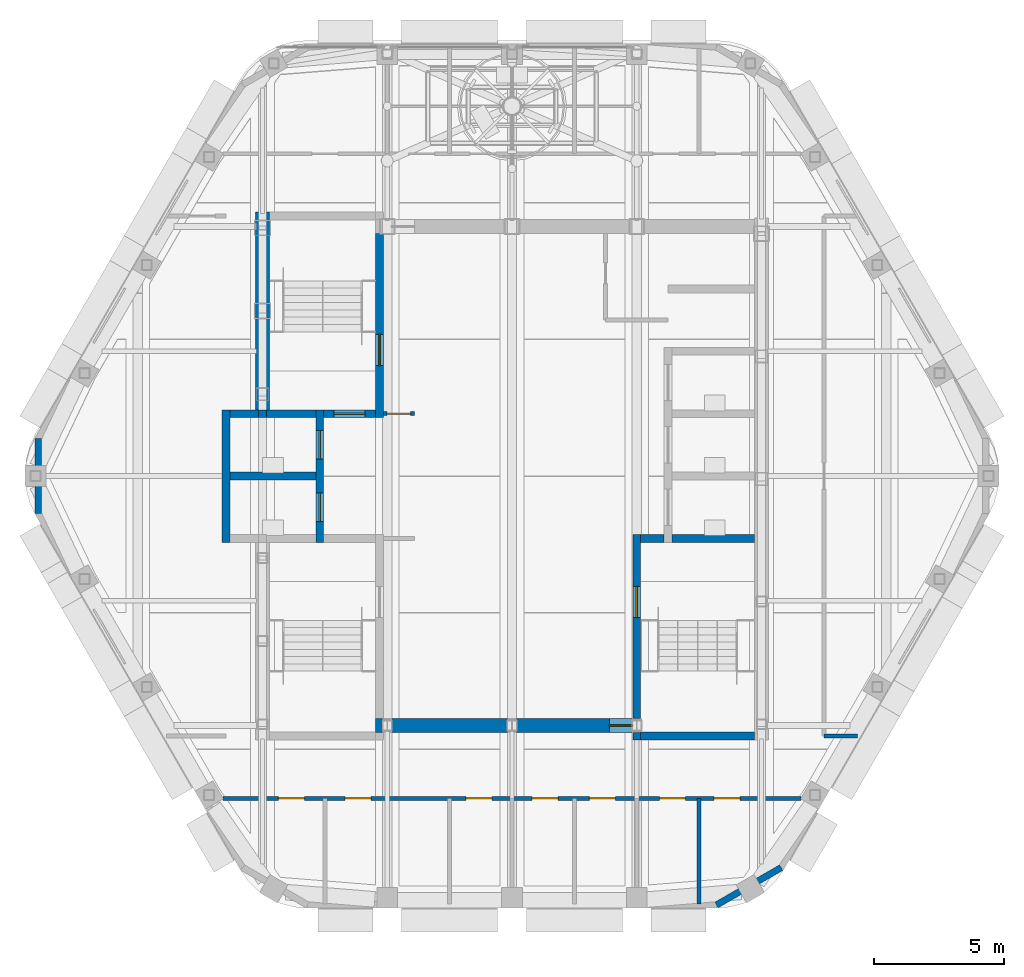
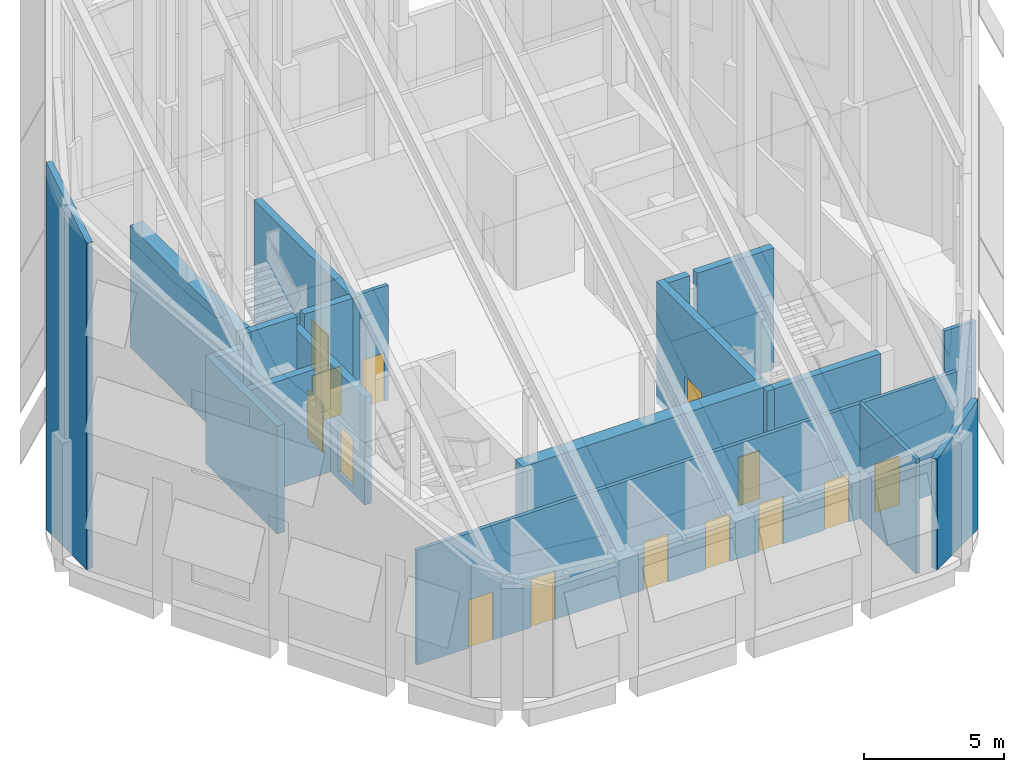
# One storey, part 10 of 25: 21 walls, 14 doors, 14 openings.
"""IFC4 building model written with IfcOpenShell, lengths in metres."""

from ifc_helpers import new_model, si_unit, direction, frame, frame_2d, origin, place, context, subcontext, project, spatial, polyline, rectangle, outline, extrude, material, layer, layer_set, type_object, element, fill, save


model = new_model("IFC4")

# Units and contexts
model_context = context("Model", 3, precision=1e-05, world=origin(), true_north=direction((0.0, 1.0)))
body_context = subcontext(model_context, "Body", "Model", "MODEL_VIEW")
ifc_project = project(units=[si_unit("LENGTHUNIT", "METRE"), si_unit("AREAUNIT", "SQUARE_METRE"), si_unit("VOLUMEUNIT", "CUBIC_METRE"), si_unit("PLANEANGLEUNIT", "RADIAN"), si_unit("MASSUNIT", "GRAM", prefix="KILO")], contexts=[model_context])

# Site, building, storey
site_placement = place(None, origin())
site = spatial("IfcSite", under=ifc_project, at=site_placement, CompositionType="ELEMENT")
building_placement = place(site_placement, origin())
building = spatial("IfcBuilding", under=site, at=building_placement, Name="Kolab Exchange Tower", CompositionType="ELEMENT")
storey_placement = place(building_placement, frame((0.0, 0.0, 301.89990234375)))
storey = spatial("IfcBuildingStorey", under=building, at=storey_placement, Name="L68", CompositionType="ELEMENT", Elevation=301.89990234375)

# Wall, opening, door
ifc_material_1 = material(Name="Concrete C50/60", Category="concrete")
ifc_layer_1 = layer(ifc_material_1, 0.550048828125)
ifc_layer_set_1 = layer_set([ifc_layer_1], Name="Concrete C50/60")
wall_type_1 = type_object("IfcWallType", Name="CORE WALL 550 C50/60", PredefinedType="SHEAR", material=ifc_layer_set_1)
wall_1_placement = place(storey_placement, frame((-5.25, -9.60009765625, -0.2998046875), z_axis=(0.0, 0.0, 1.0), x_axis=(1.0, 0.0, 0.0)))
wall_1 = element("IfcWall", 1, at=wall_1_placement, inside=storey, type_object=wall_type_1, Name="wall/L68/core/002", PredefinedType="SHEAR", context=body_context, shape_type="SweptSolid", body=[
    extrude(rectangle(XDim=10.199951171875, YDim=0.550048828125, at=frame_2d((5.10009765625, 0.0))), origin(), (0.0, 0.0, 1.0), 5.2998046875),
])
opening_1_placement = place(wall_1_placement, frame((9.0, 0.0, 0.300048828125)))
opening_1 = element("IfcOpeningElement", 2, at=opening_1_placement, cuts=wall_1, Name="Opening D6-304", PredefinedType="OPENING", context=body_context, shape_type="SweptSolid", body=[
    extrude(rectangle(XDim=0.89990234375, YDim=2.10009765625, at=frame_2d((0.449951171875, 1.050048828125))), frame((0.0, 0.28515625, 0.0), z_axis=(0.0, -1.0, 0.0), x_axis=(1.0, 0.0, 0.0)), (0.0, 0.0, 1.0), 0.570068359375),
])
ifc_material_2 = material(Name="Steel S235", Category="steel")
door_type_1 = type_object("IfcDoorType", Name="CORE DOOR 900 EI 120", OperationType="SINGLE_SWING_LEFT", PredefinedType="DOOR", material=ifc_material_2)
door_1_placement = place(opening_1_placement, origin())
door_1 = element("IfcDoor", 3, at=door_1_placement, inside=storey, type_object=door_type_1, Name="Core lobby door", OperationType="SINGLE_SWING_RIGHT", OverallHeight=2.10009765625, OverallWidth=0.89990234375, PredefinedType="DOOR", context=body_context, shape_type="SweptSolid", body=[
    extrude(rectangle(XDim=0.89990234375, YDim=2.10009765625, at=frame_2d((0.449951171875, 1.050048828125))), frame((0.0, 0.02490234375, 0.0), z_axis=(0.0, -1.0, 0.0), x_axis=(1.0, 0.0, 0.0)), (0.0, 0.0, 1.0), 0.050048828125),
])
fill(opening_1, door_1)

# Walls
wall_2_placement = place(storey_placement, frame((-9.60009765625, 2.550048828125, -0.2998046875), z_axis=(0.0, 0.0, 1.0), x_axis=(0.0, 1.0, 0.0)))
element("IfcWall", 4, at=wall_2_placement, inside=storey, type_object=wall_type_1, Name="wall/L68/core/022", PredefinedType="SHEAR", context=body_context, shape_type="SweptSolid", body=[
    extrude(rectangle(XDim=7.599853515625, YDim=0.550048828125, at=frame_2d((3.7998046875, 0.0))), origin(), (0.0, 0.0, 1.0), 5.2998046875),
])
ifc_material_3 = material(Name="Aluminium EN AW-6063 T6", Category="aluminium")
ifc_layer_2 = layer(ifc_material_3, 0.25)
ifc_layer_set_2 = layer_set([ifc_layer_2], Name="Aluminium EN AW-6063 T6")
wall_type_2 = type_object("IfcWallType", Name="CROWN CLADDING WALL 250", PredefinedType="SOLIDWALL", material=ifc_layer_set_2)
wall_3_placement = place(storey_placement, frame((10.357666015625, -15.065185546875, 0.0), z_axis=(0.0, 0.0, 1.0), x_axis=(-0.866018712932, -0.500011588718, 0.0)))
element("IfcWall", 5, at=wall_3_placement, inside=storey, type_object=wall_type_2, Name="Crown cladding wall", PredefinedType="SOLIDWALL", context=body_context, shape_type="SweptSolid", body=[
    extrude(outline(polyline([(0.0, 0.0), (2.875, 0.0), (2.875, 4.783447265625), (0.0, 5.681640625), (0.0, 0.0)])), frame((0.0, 0.125, 0.0), z_axis=(0.0, -1.0, 0.0), x_axis=(1.0, 0.0, 0.0)), (0.0, 0.0, 1.0), 0.25),
])
wall_4_placement = place(storey_placement, frame((-18.225830078125, -1.4375, 0.0), z_axis=(0.0, 0.0, 1.0), x_axis=(0.0, 1.0, 0.0)))
element("IfcWall", 6, at=wall_4_placement, inside=storey, type_object=wall_type_2, Name="Crown cladding wall", PredefinedType="SOLIDWALL", context=body_context, shape_type="SweptSolid", body=[
    extrude(outline(polyline([(0.0, 0.0), (2.875, 0.0), (2.875, 15.99365234375), (0.0, 14.197265625), (0.0, 0.0)])), frame((0.0, 0.125, 0.0), z_axis=(0.0, -1.0, 0.0), x_axis=(1.0, 0.0, 0.0)), (0.0, 0.0, 1.0), 0.25),
])
ifc_layer_3 = layer(ifc_material_1, 0.300048828125)
ifc_layer_set_3 = layer_set([ifc_layer_3], Name="Concrete C50/60")
wall_type_3 = type_object("IfcWallType", Name="LIFT SHAFT WALL 300 C50/60", PredefinedType="STANDARD", material=ifc_layer_set_3)
wall_5_placement = place(storey_placement, frame((-10.85009765625, 0.0, -0.2998046875), z_axis=(0.0, 0.0, 1.0), x_axis=(1.0, 0.0, 0.0)))
element("IfcWall", 7, at=wall_5_placement, inside=storey, type_object=wall_type_3, Name="wall/L68/core/008", PredefinedType="STANDARD", context=body_context, shape_type="SweptSolid", body=[
    extrude(rectangle(XDim=3.300048828125, YDim=0.300048828125, at=frame_2d((1.64990234375, 0.0))), origin(), (0.0, 0.0, 1.0), 4.699951171875),
])
wall_6_placement = place(storey_placement, frame((-10.85009765625, 2.39990234375, -0.2998046875), z_axis=(0.0, 0.0, 1.0), x_axis=(1.0, 0.0, 0.0)))
element("IfcWall", 8, at=wall_6_placement, inside=storey, type_object=wall_type_3, Name="wall/L68/core/010", PredefinedType="STANDARD", context=body_context, shape_type="SweptSolid", body=[
    extrude(rectangle(XDim=1.10009765625, YDim=0.300048828125, at=frame_2d((0.550048828125, 0.0))), origin(), (0.0, 0.0, 1.0), 4.699951171875),
])
wall_7_placement = place(storey_placement, frame((-11.0, -2.550048828125, -0.2998046875), z_axis=(0.0, 0.0, 1.0), x_axis=(0.0, 1.0, 0.0)))
element("IfcWall", 9, at=wall_7_placement, inside=storey, type_object=wall_type_3, Name="wall/L68/core/018", PredefinedType="STANDARD", context=body_context, shape_type="SweptSolid", body=[
    extrude(rectangle(XDim=5.10009765625, YDim=0.300048828125, at=frame_2d((2.550048828125, 0.0))), origin(), (0.0, 0.0, 1.0), 4.699951171875),
])

# Wall, openings, doors
wall_8_placement = place(storey_placement, frame((-7.39990234375, -2.550048828125, -0.2998046875), z_axis=(0.0, 0.0, 1.0), x_axis=(0.0, 1.0, 0.0)))
wall_8 = element("IfcWall", 10, at=wall_8_placement, inside=storey, type_object=wall_type_3, Name="wall/L68/core/023", PredefinedType="STANDARD", context=body_context, shape_type="SweptSolid", body=[
    extrude(rectangle(XDim=5.10009765625, YDim=0.300048828125, at=frame_2d((2.550048828125, 0.0))), origin(), (0.0, 0.0, 1.0), 4.699951171875),
])
opening_2_placement = place(wall_8_placement, frame((0.800048828125, 0.0, 0.300048828125)))
opening_2 = element("IfcOpeningElement", 11, at=opening_2_placement, cuts=wall_8, Name="Opening LD2-031", PredefinedType="OPENING", context=body_context, shape_type="SweptSolid", body=[
    extrude(rectangle(XDim=1.10009765625, YDim=2.10009765625, at=frame_2d((0.550048828125, 1.050048828125))), frame((0.0, 0.16015625, 0.0), z_axis=(0.0, -1.0, 0.0), x_axis=(1.0, 0.0, 0.0)), (0.0, 0.0, 1.0), 0.320068359375),
])
opening_3_placement = place(wall_8_placement, frame((3.199951171875, 0.0, 0.300048828125)))
opening_3 = element("IfcOpeningElement", 12, at=opening_3_placement, cuts=wall_8, Name="Opening LD2-032", PredefinedType="OPENING", context=body_context, shape_type="SweptSolid", body=[
    extrude(rectangle(XDim=1.10009765625, YDim=2.10009765625, at=frame_2d((0.550048828125, 1.050048828125))), frame((0.0, 0.16015625, 0.0), z_axis=(0.0, -1.0, 0.0), x_axis=(1.0, 0.0, 0.0)), (0.0, 0.0, 1.0), 0.320068359375),
])
ifc_material_4 = material(Name="Stainless steel 316", Category="steel")
door_type_2 = type_object("IfcDoorType", Name="LANDING DOOR 1100 FIREFIGHTING", OperationType="DOUBLE_DOOR_SLIDING", PredefinedType="DOOR", material=ifc_material_4)
door_2_placement = place(opening_2_placement, origin())
door_2 = element("IfcDoor", 13, at=door_2_placement, inside=storey, type_object=door_type_2, Name="Landing door FF1", OperationType="DOUBLE_DOOR_SLIDING", OverallHeight=2.10009765625, OverallWidth=1.10009765625, PredefinedType="DOOR", context=body_context, shape_type="SweptSolid", body=[
    extrude(rectangle(XDim=1.10009765625, YDim=2.10009765625, at=frame_2d((0.550048828125, 1.050048828125))), frame((0.0, 0.02490234375, 0.0), z_axis=(0.0, -1.0, 0.0), x_axis=(1.0, 0.0, 0.0)), (0.0, 0.0, 1.0), 0.050048828125),
])
fill(opening_2, door_2)
door_3_placement = place(opening_3_placement, origin())
door_3 = element("IfcDoor", 14, at=door_3_placement, inside=storey, type_object=door_type_2, Name="Landing door FF2", OperationType="DOUBLE_DOOR_SLIDING", OverallHeight=2.10009765625, OverallWidth=1.10009765625, PredefinedType="DOOR", context=body_context, shape_type="SweptSolid", body=[
    extrude(rectangle(XDim=1.10009765625, YDim=2.10009765625, at=frame_2d((0.550048828125, 1.050048828125))), frame((0.0, 0.02490234375, 0.0), z_axis=(0.0, -1.0, 0.0), x_axis=(1.0, 0.0, 0.0)), (0.0, 0.0, 1.0), 0.050048828125),
])
fill(opening_3, door_3)

# Wall
ifc_material_5 = material(Name="Gypsum board", Category="gypsum")
ifc_layer_4 = layer(ifc_material_5, 0.14990234375)
ifc_layer_set_4 = layer_set([ifc_layer_4], Name="Gypsum board")
wall_type_4 = type_object("IfcWallType", Name="PARTITION 150 FIRE-RATED", PredefinedType="PARTITIONING", material=ifc_layer_set_4)
wall_9_placement = place(storey_placement, frame((7.199951171875, -16.457763671875, 0.0), z_axis=(0.0, 0.0, 1.0), x_axis=(0.0, 1.0, 0.0)))
element("IfcWall", 15, at=wall_9_placement, inside=storey, type_object=wall_type_4, Name="Partition 001", PredefinedType="PARTITIONING", context=body_context, shape_type="SweptSolid", body=[
    extrude(rectangle(XDim=4.057861328125, YDim=0.14990234375, at=frame_2d((2.02880859375, 0.0))), origin(), (0.0, 0.0, 1.0), 5.0),
])

# Wall, openings, doors
wall_10_placement = place(storey_placement, frame((-11.1171875, -12.39990234375, 0.0), z_axis=(0.0, 0.0, 1.0), x_axis=(1.0, 0.0, 0.0)))
wall_10 = element("IfcWall", 16, at=wall_10_placement, inside=storey, type_object=wall_type_4, Name="Partition 012", PredefinedType="PARTITIONING", context=body_context, shape_type="SweptSolid", body=[
    extrude(rectangle(XDim=22.234375, YDim=0.14990234375, at=frame_2d((11.1171875, 0.0))), origin(), (0.0, 0.0, 1.0), 5.0),
])
opening_4_placement = place(wall_10_placement, frame((2.131103515625, 0.0, 0.0)))
opening_4 = element("IfcOpeningElement", 17, at=opening_4_placement, cuts=wall_10, Name="Opening D1-798", PredefinedType="OPENING", context=body_context, shape_type="SweptSolid", body=[
    extrude(rectangle(XDim=1.0, YDim=2.10009765625, at=frame_2d((0.5, 1.050048828125))), frame((0.0, 0.0849609375, 0.0), z_axis=(0.0, -1.0, 0.0), x_axis=(1.0, 0.0, 0.0)), (0.0, 0.0, 1.0), 0.169921875),
])
opening_5_placement = place(wall_10_placement, frame((4.697021484375, 0.0, 0.0)))
opening_5 = element("IfcOpeningElement", 18, at=opening_5_placement, cuts=wall_10, Name="Opening D1-799", PredefinedType="OPENING", context=body_context, shape_type="SweptSolid", body=[
    extrude(rectangle(XDim=1.0, YDim=2.10009765625, at=frame_2d((0.5, 1.050048828125))), frame((0.0, 0.0849609375, 0.0), z_axis=(0.0, -1.0, 0.0), x_axis=(1.0, 0.0, 0.0)), (0.0, 0.0, 1.0), 0.169921875),
])
opening_6_placement = place(wall_10_placement, frame((9.342041015625, 0.0, 0.0)))
opening_6 = element("IfcOpeningElement", 19, at=opening_6_placement, cuts=wall_10, Name="Opening D1-800", PredefinedType="OPENING", context=body_context, shape_type="SweptSolid", body=[
    extrude(rectangle(XDim=1.0, YDim=2.10009765625, at=frame_2d((0.5, 1.050048828125))), frame((0.0, 0.0849609375, 0.0), z_axis=(0.0, -1.0, 0.0), x_axis=(1.0, 0.0, 0.0)), (0.0, 0.0, 1.0), 0.169921875),
])
opening_7_placement = place(wall_10_placement, frame((11.89208984375, 0.0, 0.0)))
opening_7 = element("IfcOpeningElement", 20, at=opening_7_placement, cuts=wall_10, Name="Opening D1-801", PredefinedType="OPENING", context=body_context, shape_type="SweptSolid", body=[
    extrude(rectangle(XDim=1.0, YDim=2.10009765625, at=frame_2d((0.5, 1.050048828125))), frame((0.0, 0.0849609375, 0.0), z_axis=(0.0, -1.0, 0.0), x_axis=(1.0, 0.0, 0.0)), (0.0, 0.0, 1.0), 0.169921875),
])
opening_8_placement = place(wall_10_placement, frame((14.092041015625, 0.0, 0.0)))
opening_8 = element("IfcOpeningElement", 21, at=opening_8_placement, cuts=wall_10, Name="Opening D1-802", PredefinedType="OPENING", context=body_context, shape_type="SweptSolid", body=[
    extrude(rectangle(XDim=1.0, YDim=2.10009765625, at=frame_2d((0.5, 1.050048828125))), frame((0.0, 0.0849609375, 0.0), z_axis=(0.0, -1.0, 0.0), x_axis=(1.0, 0.0, 0.0)), (0.0, 0.0, 1.0), 0.169921875),
])
opening_9_placement = place(wall_10_placement, frame((16.7919921875, 0.0, 0.0)))
opening_9 = element("IfcOpeningElement", 22, at=opening_9_placement, cuts=wall_10, Name="Opening D1-803", PredefinedType="OPENING", context=body_context, shape_type="SweptSolid", body=[
    extrude(rectangle(XDim=1.0, YDim=2.10009765625, at=frame_2d((0.5, 1.050048828125))), frame((0.0, 0.0849609375, 0.0), z_axis=(0.0, -1.0, 0.0), x_axis=(1.0, 0.0, 0.0)), (0.0, 0.0, 1.0), 0.169921875),
])
opening_10_placement = place(wall_10_placement, frame((18.89208984375, 0.0, 0.0)))
opening_10 = element("IfcOpeningElement", 23, at=opening_10_placement, cuts=wall_10, Name="Opening D1-804", PredefinedType="OPENING", context=body_context, shape_type="SweptSolid", body=[
    extrude(rectangle(XDim=1.0, YDim=2.10009765625, at=frame_2d((0.5, 1.050048828125))), frame((0.0, 0.0849609375, 0.0), z_axis=(0.0, -1.0, 0.0), x_axis=(1.0, 0.0, 0.0)), (0.0, 0.0, 1.0), 0.169921875),
])
door_type_3 = type_object("IfcDoorType", Name="FLUSH DOOR 1000 FD60", OperationType="SINGLE_SWING_LEFT", PredefinedType="DOOR", material=ifc_material_2)
door_4_placement = place(opening_4_placement, frame((1.0, 0.0, 0.0), z_axis=(0.0, 0.0, 1.0), x_axis=(-1.0, 0.0, 0.0)))
door_4 = element("IfcDoor", 24, at=door_4_placement, inside=storey, type_object=door_type_3, Name="Door L68-021", OperationType="SINGLE_SWING_RIGHT", OverallHeight=2.10009765625, OverallWidth=1.0, PredefinedType="DOOR", context=body_context, shape_type="SweptSolid", body=[
    extrude(rectangle(XDim=1.0, YDim=2.10009765625, at=frame_2d((0.5, 1.050048828125))), frame((0.0, 0.02490234375, 0.0), z_axis=(0.0, -1.0, 0.0), x_axis=(1.0, 0.0, 0.0)), (0.0, 0.0, 1.0), 0.050048828125),
])
fill(opening_4, door_4)
door_5_placement = place(opening_5_placement, frame((1.0, 0.0, 0.0), z_axis=(0.0, 0.0, 1.0), x_axis=(-1.0, 0.0, 0.0)))
door_5 = element("IfcDoor", 25, at=door_5_placement, inside=storey, type_object=door_type_3, Name="Door L68-022", OperationType="SINGLE_SWING_LEFT", OverallHeight=2.10009765625, OverallWidth=1.0, PredefinedType="DOOR", context=body_context, shape_type="SweptSolid", body=[
    extrude(rectangle(XDim=1.0, YDim=2.10009765625, at=frame_2d((0.5, 1.050048828125))), frame((0.0, 0.02490234375, 0.0), z_axis=(0.0, -1.0, 0.0), x_axis=(1.0, 0.0, 0.0)), (0.0, 0.0, 1.0), 0.050048828125),
])
fill(opening_5, door_5)
door_6_placement = place(opening_6_placement, frame((1.0, 0.0, 0.0), z_axis=(0.0, 0.0, 1.0), x_axis=(-1.0, 0.0, 0.0)))
door_6 = element("IfcDoor", 26, at=door_6_placement, inside=storey, type_object=door_type_3, Name="Door L68-023", OperationType="SINGLE_SWING_LEFT", OverallHeight=2.10009765625, OverallWidth=1.0, PredefinedType="DOOR", context=body_context, shape_type="SweptSolid", body=[
    extrude(rectangle(XDim=1.0, YDim=2.10009765625, at=frame_2d((0.5, 1.050048828125))), frame((0.0, 0.02490234375, 0.0), z_axis=(0.0, -1.0, 0.0), x_axis=(1.0, 0.0, 0.0)), (0.0, 0.0, 1.0), 0.050048828125),
])
fill(opening_6, door_6)
door_7_placement = place(opening_7_placement, frame((1.0, 0.0, 0.0), z_axis=(0.0, 0.0, 1.0), x_axis=(-1.0, 0.0, 0.0)))
door_7 = element("IfcDoor", 27, at=door_7_placement, inside=storey, type_object=door_type_3, Name="Door L68-024", OperationType="SINGLE_SWING_RIGHT", OverallHeight=2.10009765625, OverallWidth=1.0, PredefinedType="DOOR", context=body_context, shape_type="SweptSolid", body=[
    extrude(rectangle(XDim=1.0, YDim=2.10009765625, at=frame_2d((0.5, 1.050048828125))), frame((0.0, 0.02490234375, 0.0), z_axis=(0.0, -1.0, 0.0), x_axis=(1.0, 0.0, 0.0)), (0.0, 0.0, 1.0), 0.050048828125),
])
fill(opening_7, door_7)
door_8_placement = place(opening_8_placement, frame((1.0, 0.0, 0.0), z_axis=(0.0, 0.0, 1.0), x_axis=(-1.0, 0.0, 0.0)))
door_8 = element("IfcDoor", 28, at=door_8_placement, inside=storey, type_object=door_type_3, Name="Door L68-025", OperationType="SINGLE_SWING_LEFT", OverallHeight=2.10009765625, OverallWidth=1.0, PredefinedType="DOOR", context=body_context, shape_type="SweptSolid", body=[
    extrude(rectangle(XDim=1.0, YDim=2.10009765625, at=frame_2d((0.5, 1.050048828125))), frame((0.0, 0.02490234375, 0.0), z_axis=(0.0, -1.0, 0.0), x_axis=(1.0, 0.0, 0.0)), (0.0, 0.0, 1.0), 0.050048828125),
])
fill(opening_8, door_8)
door_9_placement = place(opening_9_placement, frame((1.0, 0.0, 0.0), z_axis=(0.0, 0.0, 1.0), x_axis=(-1.0, 0.0, 0.0)))
door_9 = element("IfcDoor", 29, at=door_9_placement, inside=storey, type_object=door_type_3, Name="Door L68-026", OperationType="SINGLE_SWING_RIGHT", OverallHeight=2.10009765625, OverallWidth=1.0, PredefinedType="DOOR", context=body_context, shape_type="SweptSolid", body=[
    extrude(rectangle(XDim=1.0, YDim=2.10009765625, at=frame_2d((0.5, 1.050048828125))), frame((0.0, 0.02490234375, 0.0), z_axis=(0.0, -1.0, 0.0), x_axis=(1.0, 0.0, 0.0)), (0.0, 0.0, 1.0), 0.050048828125),
])
fill(opening_9, door_9)
door_10_placement = place(opening_10_placement, frame((1.0, 0.0, 0.0), z_axis=(0.0, 0.0, 1.0), x_axis=(-1.0, 0.0, 0.0)))
door_10 = element("IfcDoor", 30, at=door_10_placement, inside=storey, type_object=door_type_3, Name="Door L68-027", OperationType="SINGLE_SWING_LEFT", OverallHeight=2.10009765625, OverallWidth=1.0, PredefinedType="DOOR", context=body_context, shape_type="SweptSolid", body=[
    extrude(rectangle(XDim=1.0, YDim=2.10009765625, at=frame_2d((0.5, 1.050048828125))), frame((0.0, 0.02490234375, 0.0), z_axis=(0.0, -1.0, 0.0), x_axis=(1.0, 0.0, 0.0)), (0.0, 0.0, 1.0), 0.050048828125),
])
fill(opening_10, door_10)

# Wall
wall_11_placement = place(storey_placement, frame((12.0, -10.0, 0.0), z_axis=(0.0, 0.0, 1.0), x_axis=(1.0, 0.0, 0.0)))
element("IfcWall", 31, at=wall_11_placement, inside=storey, type_object=wall_type_4, Name="Partition 014", PredefinedType="PARTITIONING", context=body_context, shape_type="SweptSolid", body=[
    extrude(rectangle(XDim=1.287841796875, YDim=0.14990234375, at=frame_2d((0.64404296875, 0.0))), origin(), (0.0, 0.0, 1.0), 5.0),
])

# Wall, opening, door
wall_12_placement = place(storey_placement, frame((-4.949951171875, 2.39990234375, 0.0), z_axis=(0.0, 0.0, 1.0), x_axis=(1.0, 0.0, 0.0)))
wall_12 = element("IfcWall", 32, at=wall_12_placement, inside=storey, type_object=wall_type_4, Name="Fire partition", PredefinedType="PARTITIONING", context=body_context, shape_type="SweptSolid", body=[
    extrude(rectangle(XDim=1.199951171875, YDim=0.14990234375, at=frame_2d((0.60009765625, 0.0))), origin(), (0.0, 0.0, 1.0), 5.0),
])
opening_11_placement = place(wall_12_placement, frame((0.14990234375, 0.0, 0.0)))
opening_11 = element("IfcOpeningElement", 33, at=opening_11_placement, cuts=wall_12, Name="Opening D6-305", PredefinedType="OPENING", context=body_context, shape_type="SweptSolid", body=[
    extrude(rectangle(XDim=0.89990234375, YDim=2.10009765625, at=frame_2d((0.449951171875, 1.050048828125))), frame((0.0, 0.0849609375, 0.0), z_axis=(0.0, -1.0, 0.0), x_axis=(1.0, 0.0, 0.0)), (0.0, 0.0, 1.0), 0.169921875),
])
door_11_placement = place(opening_11_placement, frame((0.89990234375, 0.0, 0.0), z_axis=(0.0, 0.0, 1.0), x_axis=(-1.0, 0.0, 0.0)))
door_11 = element("IfcDoor", 34, at=door_11_placement, inside=storey, type_object=door_type_1, Name="Firefighting lobby door", OperationType="SINGLE_SWING_RIGHT", OverallHeight=2.10009765625, OverallWidth=0.89990234375, PredefinedType="DOOR", context=body_context, shape_type="SweptSolid", body=[
    extrude(rectangle(XDim=0.89990234375, YDim=2.10009765625, at=frame_2d((0.449951171875, 1.050048828125))), frame((0.0, 0.02490234375, 0.0), z_axis=(0.0, -1.0, 0.0), x_axis=(1.0, 0.0, 0.0)), (0.0, 0.0, 1.0), 0.050048828125),
])
fill(opening_11, door_11)

# Walls
ifc_layer_5 = layer(ifc_material_1, 0.300048828125)
ifc_layer_set_5 = layer_set([ifc_layer_5], Name="Concrete C50/60")
wall_type_5 = type_object("IfcWallType", Name="STAIR ENCLOSURE WALL 300 C50/60", PredefinedType="STANDARD", material=ifc_layer_set_5)
wall_13_placement = place(storey_placement, frame((4.949951171875, -10.0, -0.2998046875), z_axis=(0.0, 0.0, 1.0), x_axis=(1.0, 0.0, 0.0)))
element("IfcWall", 35, at=wall_13_placement, inside=storey, type_object=wall_type_5, Name="wall/L68/core/001", PredefinedType="STANDARD", context=body_context, shape_type="SweptSolid", body=[
    extrude(rectangle(XDim=4.375, YDim=0.300048828125, at=frame_2d((2.1875, 0.0))), origin(), (0.0, 0.0, 1.0), 5.2998046875),
])
wall_14_placement = place(storey_placement, frame((4.949951171875, -2.39990234375, -0.2998046875), z_axis=(0.0, 0.0, 1.0), x_axis=(1.0, 0.0, 0.0)))
element("IfcWall", 36, at=wall_14_placement, inside=storey, type_object=wall_type_5, Name="wall/L68/core/006", PredefinedType="STANDARD", context=body_context, shape_type="SweptSolid", body=[
    extrude(rectangle(XDim=0.900146484375, YDim=0.300048828125, at=frame_2d((0.4501953125, 0.0))), origin(), (0.0, 0.0, 1.0), 5.2998046875),
])
wall_15_placement = place(storey_placement, frame((6.14990234375, -2.39990234375, -0.2998046875), z_axis=(0.0, 0.0, 1.0), x_axis=(1.0, 0.0, 0.0)))
element("IfcWall", 37, at=wall_15_placement, inside=storey, type_object=wall_type_5, Name="wall/L68/core/007", PredefinedType="STANDARD", context=body_context, shape_type="SweptSolid", body=[
    extrude(rectangle(XDim=3.175048828125, YDim=0.300048828125, at=frame_2d((1.58740234375, 0.0))), origin(), (0.0, 0.0, 1.0), 5.2998046875),
])
wall_16_placement = place(storey_placement, frame((-9.449951171875, 2.39990234375, -0.2998046875), z_axis=(0.0, 0.0, 1.0), x_axis=(1.0, 0.0, 0.0)))
element("IfcWall", 38, at=wall_16_placement, inside=storey, type_object=wall_type_5, Name="wall/L68/core/011", PredefinedType="STANDARD", context=body_context, shape_type="SweptSolid", body=[
    extrude(rectangle(XDim=1.89990234375, YDim=0.300048828125, at=frame_2d((0.949951171875, 0.0))), origin(), (0.0, 0.0, 1.0), 5.2998046875),
])

# Wall, opening, door
wall_17_placement = place(storey_placement, frame((-7.25, 2.39990234375, -0.2998046875), z_axis=(0.0, 0.0, 1.0), x_axis=(1.0, 0.0, 0.0)))
wall_17 = element("IfcWall", 39, at=wall_17_placement, inside=storey, type_object=wall_type_5, Name="wall/L68/core/012", PredefinedType="STANDARD", context=body_context, shape_type="SweptSolid", body=[
    extrude(rectangle(XDim=2.0, YDim=0.300048828125, at=frame_2d((1.0, 0.0))), origin(), (0.0, 0.0, 1.0), 5.2998046875),
])
opening_12_placement = place(wall_17_placement, frame((0.39990234375, 0.0, 0.300048828125)))
opening_12 = element("IfcOpeningElement", 40, at=opening_12_placement, cuts=wall_17, Name="Opening D4-086", PredefinedType="OPENING", context=body_context, shape_type="SweptSolid", body=[
    extrude(rectangle(XDim=1.199951171875, YDim=2.10009765625, at=frame_2d((0.60009765625, 1.050048828125))), frame((0.0, 0.16015625, 0.0), z_axis=(0.0, -1.0, 0.0), x_axis=(1.0, 0.0, 0.0)), (0.0, 0.0, 1.0), 0.320068359375),
])
door_type_4 = type_object("IfcDoorType", Name="STAIR DOOR 1200 EI 120", OperationType="SINGLE_SWING_LEFT", PredefinedType="DOOR", material=ifc_material_2)
door_12_placement = place(opening_12_placement, origin())
door_12 = element("IfcDoor", 41, at=door_12_placement, inside=storey, type_object=door_type_4, Name="Stair 1 door", OperationType="SINGLE_SWING_RIGHT", OverallHeight=2.10009765625, OverallWidth=1.199951171875, PredefinedType="DOOR", context=body_context, shape_type="SweptSolid", body=[
    extrude(rectangle(XDim=1.199951171875, YDim=2.10009765625, at=frame_2d((0.60009765625, 1.050048828125))), frame((0.0, 0.02490234375, 0.0), z_axis=(0.0, -1.0, 0.0), x_axis=(1.0, 0.0, 0.0)), (0.0, 0.0, 1.0), 0.050048828125),
])
fill(opening_12, door_12)

# Wall
wall_18_placement = place(storey_placement, frame((-9.60009765625, 2.25, -0.2998046875), z_axis=(0.0, 0.0, 1.0), x_axis=(0.0, 1.0, 0.0)))
element("IfcWall", 42, at=wall_18_placement, inside=storey, type_object=wall_type_5, Name="wall/L68/core/021", PredefinedType="STANDARD", context=body_context, shape_type="SweptSolid", body=[
    extrude(rectangle(XDim=0.300048828125, YDim=0.300048828125, at=frame_2d((0.14990234375, 0.0))), origin(), (0.0, 0.0, 1.0), 5.2998046875),
])

# Wall, opening, door
wall_19_placement = place(storey_placement, frame((-5.10009765625, 2.25, -0.2998046875), z_axis=(0.0, 0.0, 1.0), x_axis=(0.0, 1.0, 0.0)))
wall_19 = element("IfcWall", 43, at=wall_19_placement, inside=storey, type_object=wall_type_5, Name="wall/L68/core/026", PredefinedType="STANDARD", context=body_context, shape_type="SweptSolid", body=[
    extrude(rectangle(XDim=7.074951171875, YDim=0.300048828125, at=frame_2d((3.53759765625, 0.0))), origin(), (0.0, 0.0, 1.0), 5.2998046875),
])
opening_13_placement = place(wall_19_placement, frame((2.0, 0.0, 0.300048828125)))
opening_13 = element("IfcOpeningElement", 44, at=opening_13_placement, cuts=wall_19, Name="Opening D4-087", PredefinedType="OPENING", context=body_context, shape_type="SweptSolid", body=[
    extrude(rectangle(XDim=1.199951171875, YDim=2.10009765625, at=frame_2d((0.60009765625, 1.050048828125))), frame((0.0, 0.16015625, 0.0), z_axis=(0.0, -1.0, 0.0), x_axis=(1.0, 0.0, 0.0)), (0.0, 0.0, 1.0), 0.320068359375),
])
door_13_placement = place(opening_13_placement, origin())
door_13 = element("IfcDoor", 45, at=door_13_placement, inside=storey, type_object=door_type_4, Name="Stair 1 door", OperationType="SINGLE_SWING_LEFT", OverallHeight=2.10009765625, OverallWidth=1.199951171875, PredefinedType="DOOR", context=body_context, shape_type="SweptSolid", body=[
    extrude(rectangle(XDim=1.199951171875, YDim=2.10009765625, at=frame_2d((0.60009765625, 1.050048828125))), frame((0.0, 0.02490234375, 0.0), z_axis=(0.0, -1.0, 0.0), x_axis=(1.0, 0.0, 0.0)), (0.0, 0.0, 1.0), 0.050048828125),
])
fill(opening_13, door_13)

# Wall
wall_20_placement = place(storey_placement, frame((4.800048828125, -10.14990234375, -0.2998046875), z_axis=(0.0, 0.0, 1.0), x_axis=(0.0, 1.0, 0.0)))
element("IfcWall", 46, at=wall_20_placement, inside=storey, type_object=wall_type_5, Name="wall/L68/core/028", PredefinedType="STANDARD", context=body_context, shape_type="SweptSolid", body=[
    extrude(rectangle(XDim=0.27490234375, YDim=0.300048828125, at=frame_2d((0.137451171875, 0.0))), origin(), (0.0, 0.0, 1.0), 5.2998046875),
])

# Wall, opening, door
wall_21_placement = place(storey_placement, frame((4.800048828125, -9.324951171875, -0.2998046875), z_axis=(0.0, 0.0, 1.0), x_axis=(0.0, 1.0, 0.0)))
wall_21 = element("IfcWall", 47, at=wall_21_placement, inside=storey, type_object=wall_type_5, Name="wall/L68/core/029", PredefinedType="STANDARD", context=body_context, shape_type="SweptSolid", body=[
    extrude(rectangle(XDim=7.074951171875, YDim=0.300048828125, at=frame_2d((3.53759765625, 0.0))), origin(), (0.0, 0.0, 1.0), 5.2998046875),
])
opening_14_placement = place(wall_21_placement, frame((3.875, 0.0, 0.300048828125)))
opening_14 = element("IfcOpeningElement", 48, at=opening_14_placement, cuts=wall_21, Name="Opening D4-088", PredefinedType="OPENING", context=body_context, shape_type="SweptSolid", body=[
    extrude(rectangle(XDim=1.199951171875, YDim=2.10009765625, at=frame_2d((0.60009765625, 1.050048828125))), frame((0.0, 0.16015625, 0.0), z_axis=(0.0, -1.0, 0.0), x_axis=(1.0, 0.0, 0.0)), (0.0, 0.0, 1.0), 0.320068359375),
])
door_14_placement = place(opening_14_placement, frame((1.199951171875, 0.0, 0.0), z_axis=(0.0, 0.0, 1.0), x_axis=(-1.0, 0.0, 0.0)))
door_14 = element("IfcDoor", 49, at=door_14_placement, inside=storey, type_object=door_type_4, Name="Stair 2 door", OperationType="SINGLE_SWING_RIGHT", OverallHeight=2.10009765625, OverallWidth=1.199951171875, PredefinedType="DOOR", context=body_context, shape_type="SweptSolid", body=[
    extrude(rectangle(XDim=1.199951171875, YDim=2.10009765625, at=frame_2d((0.60009765625, 1.050048828125))), frame((0.0, 0.02490234375, 0.0), z_axis=(0.0, -1.0, 0.0), x_axis=(1.0, 0.0, 0.0)), (0.0, 0.0, 1.0), 0.050048828125),
])
fill(opening_14, door_14)

save(model, "model.ifc")
